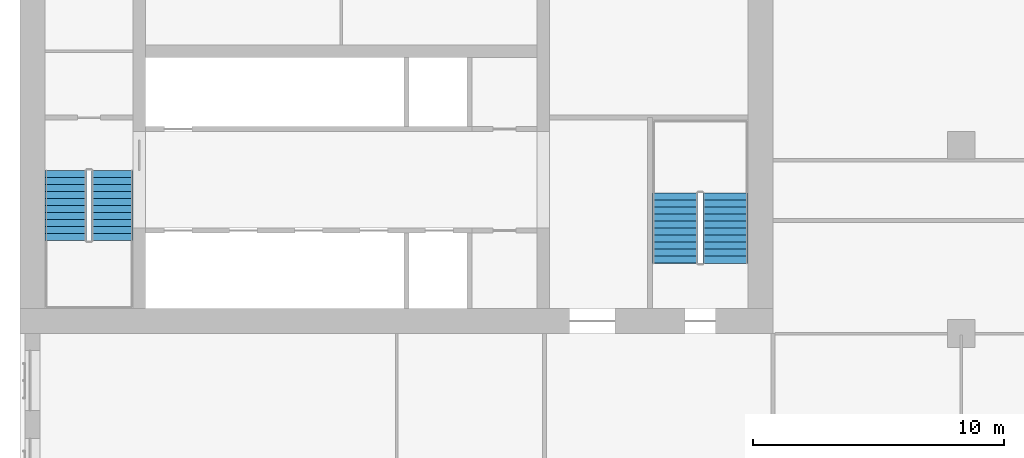
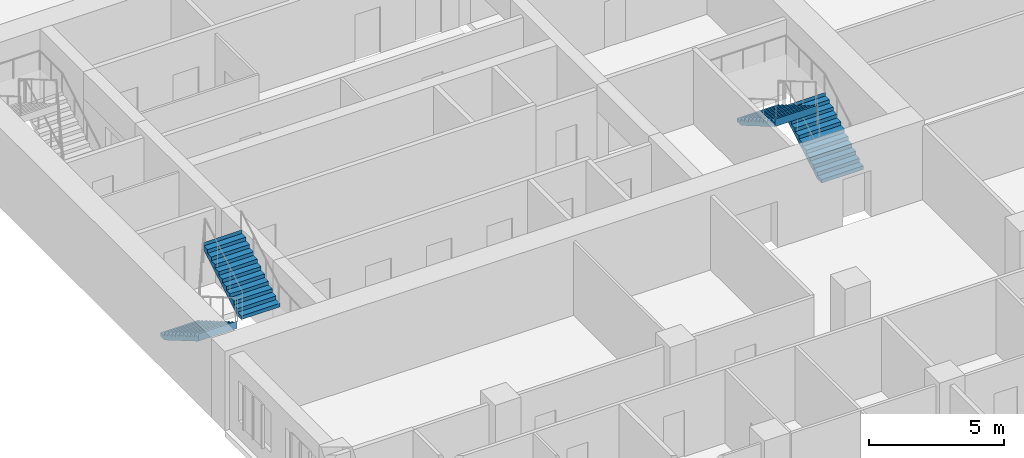
# One storey, part 12 of 14: 4 stair flights, 2 elements without a shape of their own.
"""IFC4 building model written with IfcOpenShell, lengths in metres."""

from ifc_helpers import new_model, si_unit, direction, frame, origin, place, context, subcontext, project, spatial, polyline, outline, extrude, material, type_object, element, aggregate, save


model = new_model("IFC4")

# Units and contexts
model_context = context("Model", 3, precision=1e-05, world=origin(), true_north=direction((0.0, 1.0)))
body_context = subcontext(model_context, "Body", "Model", "MODEL_VIEW")
ifc_project = project(units=[si_unit("LENGTHUNIT", "METRE"), si_unit("AREAUNIT", "SQUARE_METRE"), si_unit("VOLUMEUNIT", "CUBIC_METRE"), si_unit("PLANEANGLEUNIT", "RADIAN"), si_unit("MASSUNIT", "GRAM", prefix="KILO")], contexts=[model_context])

# Site, building, storey
site_placement = place(None, origin())
site = spatial("IfcSite", under=ifc_project, at=site_placement, CompositionType="ELEMENT")
building_placement = place(site_placement, origin())
building = spatial("IfcBuilding", under=site, at=building_placement, Name="Tamorin Gate", CompositionType="ELEMENT")
storey_placement = place(building_placement, frame((0.0, 0.0, 93.5)))
storey = spatial("IfcBuildingStorey", under=building, at=storey_placement, Name="L22", CompositionType="ELEMENT", Elevation=93.5)

# Stair, stair flights
ifc_material = material(Name="Concrete C40/50", Category="concrete")
stair_type = type_object("IfcStairType", Name="Exit stair", PredefinedType="HALF_TURN_STAIR", material=ifc_material)
stair_1_placement = place(storey_placement, origin())
stair_1 = element("IfcStair", 1, at=stair_1_placement, inside=storey, type_object=stair_type, Name="L22 stair ST1", PredefinedType="HALF_TURN_STAIR")
stair_flight_type = type_object("IfcStairFlightType", Name="Exit stair flight", PredefinedType="STRAIGHT", material=ifc_material)
stair_flight_1_placement = place(storey_placement, frame((31.824951171875, 66.5, 0.0), z_axis=(0.0, 0.0, 1.0), x_axis=(0.0, -1.0, 0.0)))
stair_flight_1 = element("IfcStairFlight", 2, at=stair_flight_1_placement, type_object=stair_flight_type, Name="ST1 flight 1", NumberOfRisers=11, NumberOfTreads=10, PredefinedType="STRAIGHT", RiserHeight=0.163636364, TreadLength=0.28, context=body_context, shape_type="SweptSolid", body=[
    extrude(outline(polyline([(-0.00048828125, 0.0), (-0.00048828125, 0.001708984375), (-0.00048828125, 0.003173828125), (-0.00048828125, 0.0048828125), (-0.00048828125, 0.006591796875), (-0.00048828125, 0.008056640625), (-0.00048828125, 0.009765625), (-0.00048828125, 0.01123046875), (-0.00048828125, 0.012939453125), (-0.00048828125, 0.0146484375), (-0.00048828125, 0.01611328125), (-0.00048828125, 0.017822265625), (-0.00048828125, 0.01953125), (-0.00048828125, 0.02099609375), (-0.00048828125, 0.022705078125), (-0.00048828125, 0.0244140625), (-0.00048828125, 0.02587890625), (-0.00048828125, 0.027587890625), (-0.00048828125, 0.029052734375), (-0.00048828125, 0.03076171875), (-0.00048828125, 0.032470703125), (-0.00048828125, 0.033935546875), (-0.00048828125, 0.03564453125), (-0.00048828125, 0.037353515625), (-0.00048828125, 0.038818359375), (-0.00048828125, 0.04052734375), (-0.00048828125, 0.042236328125), (-0.00048828125, 0.043701171875), (-0.00048828125, 0.04541015625), (-0.00048828125, 0.046875), (-0.00048828125, 0.048583984375), (-0.00048828125, 0.05029296875), (-0.00048828125, 0.0517578125), (-0.00048828125, 0.053466796875), (-0.00048828125, 0.05517578125), (-0.00048828125, 0.056640625), (-0.00048828125, 0.058349609375), (-0.00048828125, 0.06005859375), (-0.00048828125, 0.0615234375), (-0.00048828125, 0.063232421875), (-0.00048828125, 0.064697265625), (-0.00048828125, 0.06640625), (-0.00048828125, 0.068115234375), (-0.00048828125, 0.069580078125), (-0.00048828125, 0.0712890625), (-0.00048828125, 0.072998046875), (-0.00048828125, 0.074462890625), (-0.00048828125, 0.076171875), (-0.00048828125, 0.077880859375), (-0.00048828125, 0.079345703125), (-0.00048828125, 0.0810546875), (-0.00048828125, 0.08251953125), (-0.00048828125, 0.084228515625), (-0.00048828125, 0.0859375), (-0.00048828125, 0.08740234375), (-0.00048828125, 0.089111328125), (-0.00048828125, 0.0908203125), (-0.00048828125, 0.09228515625), (-0.00048828125, 0.093994140625), (-0.00048828125, 0.095703125), (-0.00048828125, 0.09716796875), (-0.00048828125, 0.098876953125), (-0.00048828125, 0.100341796875), (-0.00048828125, 0.10205078125), (-0.00048828125, 0.103759765625), (-0.00048828125, 0.105224609375), (-0.00048828125, 0.10693359375), (-0.00048828125, 0.108642578125), (-0.00048828125, 0.110107421875), (-0.00048828125, 0.11181640625), (-0.00048828125, 0.113525390625), (-0.00048828125, 0.114990234375), (-0.00048828125, 0.11669921875), (-0.00048828125, 0.1181640625), (-0.00048828125, 0.119873046875), (-0.00048828125, 0.12158203125), (-0.00048828125, 0.123046875), (-0.00048828125, 0.124755859375), (-0.00048828125, 0.12646484375), (-0.00048828125, 0.1279296875), (-0.00048828125, 0.129638671875), (-0.00048828125, 0.13134765625), (-0.00048828125, 0.1328125), (-0.00048828125, 0.134521484375), (-0.00048828125, 0.135986328125), (-0.00048828125, 0.1376953125), (-0.00048828125, 0.139404296875), (-0.00048828125, 0.140869140625), (-0.00048828125, 0.142578125), (-0.00048828125, 0.144287109375), (-0.00048828125, 0.145751953125), (-0.00048828125, 0.1474609375), (-0.00048828125, 0.149169921875), (-0.00048828125, 0.150634765625), (-0.00048828125, 0.15234375), (-0.00048828125, 0.15380859375), (-0.00048828125, 0.155517578125), (-0.00048828125, 0.1572265625), (-0.00048828125, 0.15869140625), (-0.00048828125, 0.160400390625), (-0.00048828125, 0.162109375), (-0.00048828125, 0.16357421875), (0.280029296875, 0.16357421875), (0.280029296875, 0.327392578125), (0.56005859375, 0.327392578125), (0.56005859375, 0.490966796875), (0.840087890625, 0.490966796875), (0.840087890625, 0.654541015625), (1.1201171875, 0.654541015625), (1.1201171875, 0.818115234375), (1.39990234375, 0.818115234375), (1.39990234375, 0.98193359375), (1.679931640625, 0.98193359375), (1.679931640625, 1.1455078125), (1.9599609375, 1.1455078125), (1.9599609375, 1.30908203125), (2.239990234375, 1.30908203125), (2.239990234375, 1.47265625), (2.52001953125, 1.47265625), (2.52001953125, 1.636474609375), (2.800048828125, 1.636474609375), (2.800048828125, 1.800048828125), (2.800537109375, 1.800048828125), (2.800537109375, 1.796630859375), (2.800537109375, 1.793212890625), (2.800537109375, 1.7900390625), (2.800537109375, 1.78662109375), (2.800537109375, 1.783203125), (2.800537109375, 1.780029296875), (2.800537109375, 1.776611328125), (2.800537109375, 1.773193359375), (2.800537109375, 1.77001953125), (2.800537109375, 1.7666015625), (2.800537109375, 1.76318359375), (2.800537109375, 1.760009765625), (2.800537109375, 1.756591796875), (2.800537109375, 1.753173828125), (2.800537109375, 1.75), (2.800537109375, 1.74658203125), (2.800537109375, 1.7431640625), (2.800537109375, 1.739990234375), (2.800537109375, 1.736572265625), (2.800537109375, 1.733154296875), (2.800537109375, 1.72998046875), (2.800537109375, 1.7265625), (2.800537109375, 1.72314453125), (2.800537109375, 1.719970703125), (2.800537109375, 1.716552734375), (2.800537109375, 1.713134765625), (2.800537109375, 1.7099609375), (2.800537109375, 1.70654296875), (2.800537109375, 1.703125), (2.800537109375, 1.69970703125), (2.800537109375, 1.696533203125), (2.800537109375, 1.693115234375), (2.800537109375, 1.689697265625), (2.800537109375, 1.6865234375), (2.800537109375, 1.68310546875), (2.800537109375, 1.6796875), (2.800537109375, 1.676513671875), (2.800537109375, 1.673095703125), (2.800537109375, 1.669677734375), (2.800537109375, 1.66650390625), (2.800537109375, 1.6630859375), (2.800537109375, 1.65966796875), (2.800537109375, 1.656494140625), (2.800537109375, 1.653076171875), (2.800537109375, 1.649658203125), (2.800537109375, 1.646484375), (2.800537109375, 1.64306640625), (2.800537109375, 1.6396484375), (2.800537109375, 1.636474609375), (2.800537109375, 1.633056640625), (2.800537109375, 1.629638671875), (2.800537109375, 1.62646484375), (2.800537109375, 1.623046875), (2.800537109375, 1.61962890625), (2.800537109375, 1.616455078125), (2.800537109375, 1.613037109375), (2.800537109375, 1.609619140625), (2.800537109375, 1.6064453125), (2.800537109375, 1.60302734375), (2.800537109375, 1.599609375), (2.800537109375, 1.59619140625), (2.800537109375, 1.593017578125), (2.800537109375, 1.589599609375), (2.800537109375, 1.586181640625), (2.800537109375, 1.5830078125), (2.800537109375, 1.57958984375), (2.800537109375, 1.576171875), (2.800537109375, 1.572998046875), (2.800537109375, 1.569580078125), (2.800537109375, 1.566162109375), (2.800537109375, 1.56298828125), (2.800537109375, 1.5595703125), (2.800537109375, 1.55615234375), (2.800537109375, 1.552978515625), (2.800537109375, 1.549560546875), (2.800537109375, 1.546142578125), (2.800537109375, 1.54296875), (2.800537109375, 1.53955078125), (2.800537109375, 1.5361328125), (2.800537109375, 1.532958984375), (2.800537109375, 1.529541015625), (2.800537109375, 1.526123046875), (2.800537109375, 1.52294921875), (2.800537109375, 1.51953125), (2.800537109375, 1.51611328125), (2.800537109375, 1.512939453125), (2.800537109375, 1.509521484375), (2.800537109375, 1.506103515625), (2.800537109375, 1.5029296875), (2.800537109375, 1.49951171875), (2.800537109375, 1.49609375), (2.800537109375, 1.49267578125), (2.800537109375, 1.489501953125), (2.800537109375, 1.486083984375), (2.800537109375, 1.482666015625), (2.800537109375, 1.4794921875), (2.800537109375, 1.47607421875), (2.800537109375, 1.47265625), (2.800537109375, 1.469482421875), (2.800537109375, 1.466064453125), (2.800537109375, 1.462646484375), (2.800048828125, 1.462646484375), (0.297119140625, 0.0), (-0.00048828125, 0.0)])), frame((0.0, 0.824951171875, 0.0), z_axis=(0.0, -1.0, 0.0), x_axis=(1.0, 0.0, 0.0)), (0.0, 0.0, 1.0), 1.64990234375),
])
stair_flight_2_placement = place(storey_placement, frame((33.675048828125, 63.699951171875, 1.800048828125), z_axis=(0.0, 0.0, 1.0), x_axis=(0.0, 1.0, 0.0)))
stair_flight_2 = element("IfcStairFlight", 3, at=stair_flight_2_placement, type_object=stair_flight_type, Name="ST1 flight 2", NumberOfRisers=11, NumberOfTreads=10, PredefinedType="STRAIGHT", RiserHeight=0.163636364, TreadLength=0.28, context=body_context, shape_type="SweptSolid", body=[
    extrude(outline(polyline([(-0.00048828125, 0.0), (-0.00048828125, 0.001708984375), (-0.00048828125, 0.003173828125), (-0.00048828125, 0.0048828125), (-0.00048828125, 0.006591796875), (-0.00048828125, 0.008056640625), (-0.00048828125, 0.009765625), (-0.00048828125, 0.01123046875), (-0.00048828125, 0.012939453125), (-0.00048828125, 0.0146484375), (-0.00048828125, 0.01611328125), (-0.00048828125, 0.017822265625), (-0.00048828125, 0.01953125), (-0.00048828125, 0.02099609375), (-0.00048828125, 0.022705078125), (-0.00048828125, 0.0244140625), (-0.00048828125, 0.02587890625), (-0.00048828125, 0.027587890625), (-0.00048828125, 0.029052734375), (-0.00048828125, 0.03076171875), (-0.00048828125, 0.032470703125), (-0.00048828125, 0.033935546875), (-0.00048828125, 0.03564453125), (-0.00048828125, 0.037353515625), (-0.00048828125, 0.038818359375), (-0.00048828125, 0.04052734375), (-0.00048828125, 0.042236328125), (-0.00048828125, 0.043701171875), (-0.00048828125, 0.04541015625), (-0.00048828125, 0.046875), (-0.00048828125, 0.048583984375), (-0.00048828125, 0.05029296875), (-0.00048828125, 0.0517578125), (-0.00048828125, 0.053466796875), (-0.00048828125, 0.05517578125), (-0.00048828125, 0.056640625), (-0.00048828125, 0.058349609375), (-0.00048828125, 0.06005859375), (-0.00048828125, 0.0615234375), (-0.00048828125, 0.063232421875), (-0.00048828125, 0.064697265625), (-0.00048828125, 0.06640625), (-0.00048828125, 0.068115234375), (-0.00048828125, 0.069580078125), (-0.00048828125, 0.0712890625), (-0.00048828125, 0.072998046875), (-0.00048828125, 0.074462890625), (-0.00048828125, 0.076171875), (-0.00048828125, 0.077880859375), (-0.00048828125, 0.079345703125), (-0.00048828125, 0.0810546875), (-0.00048828125, 0.08251953125), (-0.00048828125, 0.084228515625), (-0.00048828125, 0.0859375), (-0.00048828125, 0.08740234375), (-0.00048828125, 0.089111328125), (-0.00048828125, 0.0908203125), (-0.00048828125, 0.09228515625), (-0.00048828125, 0.093994140625), (-0.00048828125, 0.095703125), (-0.00048828125, 0.09716796875), (-0.00048828125, 0.098876953125), (-0.00048828125, 0.100341796875), (-0.00048828125, 0.10205078125), (-0.00048828125, 0.103759765625), (-0.00048828125, 0.105224609375), (-0.00048828125, 0.10693359375), (-0.00048828125, 0.108642578125), (-0.00048828125, 0.110107421875), (-0.00048828125, 0.11181640625), (-0.00048828125, 0.113525390625), (-0.00048828125, 0.114990234375), (-0.00048828125, 0.11669921875), (-0.00048828125, 0.1181640625), (-0.00048828125, 0.119873046875), (-0.00048828125, 0.12158203125), (-0.00048828125, 0.123046875), (-0.00048828125, 0.124755859375), (-0.00048828125, 0.12646484375), (-0.00048828125, 0.1279296875), (-0.00048828125, 0.129638671875), (-0.00048828125, 0.13134765625), (-0.00048828125, 0.1328125), (-0.00048828125, 0.134521484375), (-0.00048828125, 0.135986328125), (-0.00048828125, 0.1376953125), (-0.00048828125, 0.139404296875), (-0.00048828125, 0.140869140625), (-0.00048828125, 0.142578125), (-0.00048828125, 0.144287109375), (-0.00048828125, 0.145751953125), (-0.00048828125, 0.1474609375), (-0.00048828125, 0.149169921875), (-0.00048828125, 0.150634765625), (-0.00048828125, 0.15234375), (-0.00048828125, 0.15380859375), (-0.00048828125, 0.155517578125), (-0.00048828125, 0.1572265625), (-0.00048828125, 0.15869140625), (-0.00048828125, 0.160400390625), (-0.00048828125, 0.162109375), (-0.00048828125, 0.16357421875), (0.280029296875, 0.16357421875), (0.280029296875, 0.327392578125), (0.56005859375, 0.327392578125), (0.56005859375, 0.490966796875), (0.840087890625, 0.490966796875), (0.840087890625, 0.654541015625), (1.1201171875, 0.654541015625), (1.1201171875, 0.818115234375), (1.39990234375, 0.818115234375), (1.39990234375, 0.98193359375), (1.679931640625, 0.98193359375), (1.679931640625, 1.1455078125), (1.9599609375, 1.1455078125), (1.9599609375, 1.30908203125), (2.239990234375, 1.30908203125), (2.239990234375, 1.47265625), (2.52001953125, 1.47265625), (2.52001953125, 1.636474609375), (2.800048828125, 1.636474609375), (2.800048828125, 1.800048828125), (2.800537109375, 1.800048828125), (2.800537109375, 1.796630859375), (2.800537109375, 1.793212890625), (2.800537109375, 1.7900390625), (2.800537109375, 1.78662109375), (2.800537109375, 1.783203125), (2.800537109375, 1.780029296875), (2.800537109375, 1.776611328125), (2.800537109375, 1.773193359375), (2.800537109375, 1.77001953125), (2.800537109375, 1.7666015625), (2.800537109375, 1.76318359375), (2.800537109375, 1.760009765625), (2.800537109375, 1.756591796875), (2.800537109375, 1.753173828125), (2.800537109375, 1.75), (2.800537109375, 1.74658203125), (2.800537109375, 1.7431640625), (2.800537109375, 1.739990234375), (2.800537109375, 1.736572265625), (2.800537109375, 1.733154296875), (2.800537109375, 1.72998046875), (2.800537109375, 1.7265625), (2.800537109375, 1.72314453125), (2.800537109375, 1.719970703125), (2.800537109375, 1.716552734375), (2.800537109375, 1.713134765625), (2.800537109375, 1.7099609375), (2.800537109375, 1.70654296875), (2.800537109375, 1.703125), (2.800537109375, 1.69970703125), (2.800537109375, 1.696533203125), (2.800537109375, 1.693115234375), (2.800537109375, 1.689697265625), (2.800537109375, 1.6865234375), (2.800537109375, 1.68310546875), (2.800537109375, 1.6796875), (2.800537109375, 1.676513671875), (2.800537109375, 1.673095703125), (2.800537109375, 1.669677734375), (2.800537109375, 1.66650390625), (2.800537109375, 1.6630859375), (2.800537109375, 1.65966796875), (2.800537109375, 1.656494140625), (2.800537109375, 1.653076171875), (2.800537109375, 1.649658203125), (2.800537109375, 1.646484375), (2.800537109375, 1.64306640625), (2.800537109375, 1.6396484375), (2.800537109375, 1.636474609375), (2.800537109375, 1.633056640625), (2.800537109375, 1.629638671875), (2.800537109375, 1.62646484375), (2.800537109375, 1.623046875), (2.800537109375, 1.61962890625), (2.800537109375, 1.616455078125), (2.800537109375, 1.613037109375), (2.800537109375, 1.609619140625), (2.800537109375, 1.6064453125), (2.800537109375, 1.60302734375), (2.800537109375, 1.599609375), (2.800537109375, 1.59619140625), (2.800537109375, 1.593017578125), (2.800537109375, 1.589599609375), (2.800537109375, 1.586181640625), (2.800537109375, 1.5830078125), (2.800537109375, 1.57958984375), (2.800537109375, 1.576171875), (2.800537109375, 1.572998046875), (2.800537109375, 1.569580078125), (2.800537109375, 1.566162109375), (2.800537109375, 1.56298828125), (2.800537109375, 1.5595703125), (2.800537109375, 1.55615234375), (2.800537109375, 1.552978515625), (2.800537109375, 1.549560546875), (2.800537109375, 1.546142578125), (2.800537109375, 1.54296875), (2.800537109375, 1.53955078125), (2.800537109375, 1.5361328125), (2.800537109375, 1.532958984375), (2.800537109375, 1.529541015625), (2.800537109375, 1.526123046875), (2.800537109375, 1.52294921875), (2.800537109375, 1.51953125), (2.800537109375, 1.51611328125), (2.800537109375, 1.512939453125), (2.800537109375, 1.509521484375), (2.800537109375, 1.506103515625), (2.800537109375, 1.5029296875), (2.800537109375, 1.49951171875), (2.800537109375, 1.49609375), (2.800537109375, 1.49267578125), (2.800537109375, 1.489501953125), (2.800537109375, 1.486083984375), (2.800537109375, 1.482666015625), (2.800537109375, 1.4794921875), (2.800537109375, 1.47607421875), (2.800537109375, 1.47265625), (2.800537109375, 1.469482421875), (2.800537109375, 1.466064453125), (2.800537109375, 1.462646484375), (2.800048828125, 1.462646484375), (0.297119140625, 0.0), (-0.00048828125, 0.0)])), frame((0.0, 0.824951171875, 0.0), z_axis=(0.0, -1.0, 0.0), x_axis=(1.0, 0.0, 0.0)), (0.0, 0.0, 1.0), 1.64990234375),
])
aggregate(stair_1, [stair_flight_1, stair_flight_2])

stair_2_placement = place(storey_placement, origin())
stair_2 = element("IfcStair", 4, at=stair_2_placement, inside=storey, type_object=stair_type, Name="L22 stair ST3", PredefinedType="HALF_TURN_STAIR")
stair_flight_3_placement = place(storey_placement, frame((58.10009765625, 62.800048828125, 0.0), z_axis=(0.0, 0.0, 1.0), x_axis=(0.0, 1.0, 0.0)))
stair_flight_3 = element("IfcStairFlight", 5, at=stair_flight_3_placement, type_object=stair_flight_type, Name="ST3 flight 1", NumberOfRisers=11, NumberOfTreads=10, PredefinedType="STRAIGHT", RiserHeight=0.163636364, TreadLength=0.28, context=body_context, shape_type="SweptSolid", body=[
    extrude(outline(polyline([(-0.00048828125, 0.0), (-0.00048828125, 0.001708984375), (-0.00048828125, 0.003173828125), (-0.00048828125, 0.0048828125), (-0.00048828125, 0.006591796875), (-0.00048828125, 0.008056640625), (-0.00048828125, 0.009765625), (-0.00048828125, 0.01123046875), (-0.00048828125, 0.012939453125), (-0.00048828125, 0.0146484375), (-0.00048828125, 0.01611328125), (-0.00048828125, 0.017822265625), (-0.00048828125, 0.01953125), (-0.00048828125, 0.02099609375), (-0.00048828125, 0.022705078125), (-0.00048828125, 0.0244140625), (-0.00048828125, 0.02587890625), (-0.00048828125, 0.027587890625), (-0.00048828125, 0.029052734375), (-0.00048828125, 0.03076171875), (-0.00048828125, 0.032470703125), (-0.00048828125, 0.033935546875), (-0.00048828125, 0.03564453125), (-0.00048828125, 0.037353515625), (-0.00048828125, 0.038818359375), (-0.00048828125, 0.04052734375), (-0.00048828125, 0.042236328125), (-0.00048828125, 0.043701171875), (-0.00048828125, 0.04541015625), (-0.00048828125, 0.046875), (-0.00048828125, 0.048583984375), (-0.00048828125, 0.05029296875), (-0.00048828125, 0.0517578125), (-0.00048828125, 0.053466796875), (-0.00048828125, 0.05517578125), (-0.00048828125, 0.056640625), (-0.00048828125, 0.058349609375), (-0.00048828125, 0.06005859375), (-0.00048828125, 0.0615234375), (-0.00048828125, 0.063232421875), (-0.00048828125, 0.064697265625), (-0.00048828125, 0.06640625), (-0.00048828125, 0.068115234375), (-0.00048828125, 0.069580078125), (-0.00048828125, 0.0712890625), (-0.00048828125, 0.072998046875), (-0.00048828125, 0.074462890625), (-0.00048828125, 0.076171875), (-0.00048828125, 0.077880859375), (-0.00048828125, 0.079345703125), (-0.00048828125, 0.0810546875), (-0.00048828125, 0.08251953125), (-0.00048828125, 0.084228515625), (-0.00048828125, 0.0859375), (-0.00048828125, 0.08740234375), (-0.00048828125, 0.089111328125), (-0.00048828125, 0.0908203125), (-0.00048828125, 0.09228515625), (-0.00048828125, 0.093994140625), (-0.00048828125, 0.095703125), (-0.00048828125, 0.09716796875), (-0.00048828125, 0.098876953125), (-0.00048828125, 0.100341796875), (-0.00048828125, 0.10205078125), (-0.00048828125, 0.103759765625), (-0.00048828125, 0.105224609375), (-0.00048828125, 0.10693359375), (-0.00048828125, 0.108642578125), (-0.00048828125, 0.110107421875), (-0.00048828125, 0.11181640625), (-0.00048828125, 0.113525390625), (-0.00048828125, 0.114990234375), (-0.00048828125, 0.11669921875), (-0.00048828125, 0.1181640625), (-0.00048828125, 0.119873046875), (-0.00048828125, 0.12158203125), (-0.00048828125, 0.123046875), (-0.00048828125, 0.124755859375), (-0.00048828125, 0.12646484375), (-0.00048828125, 0.1279296875), (-0.00048828125, 0.129638671875), (-0.00048828125, 0.13134765625), (-0.00048828125, 0.1328125), (-0.00048828125, 0.134521484375), (-0.00048828125, 0.135986328125), (-0.00048828125, 0.1376953125), (-0.00048828125, 0.139404296875), (-0.00048828125, 0.140869140625), (-0.00048828125, 0.142578125), (-0.00048828125, 0.144287109375), (-0.00048828125, 0.145751953125), (-0.00048828125, 0.1474609375), (-0.00048828125, 0.149169921875), (-0.00048828125, 0.150634765625), (-0.00048828125, 0.15234375), (-0.00048828125, 0.15380859375), (-0.00048828125, 0.155517578125), (-0.00048828125, 0.1572265625), (-0.00048828125, 0.15869140625), (-0.00048828125, 0.160400390625), (-0.00048828125, 0.162109375), (-0.00048828125, 0.16357421875), (0.280029296875, 0.16357421875), (0.280029296875, 0.327392578125), (0.56005859375, 0.327392578125), (0.56005859375, 0.490966796875), (0.840087890625, 0.490966796875), (0.840087890625, 0.654541015625), (1.1201171875, 0.654541015625), (1.1201171875, 0.818115234375), (1.39990234375, 0.818115234375), (1.39990234375, 0.98193359375), (1.679931640625, 0.98193359375), (1.679931640625, 1.1455078125), (1.9599609375, 1.1455078125), (1.9599609375, 1.30908203125), (2.239990234375, 1.30908203125), (2.239990234375, 1.47265625), (2.52001953125, 1.47265625), (2.52001953125, 1.636474609375), (2.800048828125, 1.636474609375), (2.800048828125, 1.800048828125), (2.800537109375, 1.800048828125), (2.800537109375, 1.796630859375), (2.800537109375, 1.793212890625), (2.800537109375, 1.7900390625), (2.800537109375, 1.78662109375), (2.800537109375, 1.783203125), (2.800537109375, 1.780029296875), (2.800537109375, 1.776611328125), (2.800537109375, 1.773193359375), (2.800537109375, 1.77001953125), (2.800537109375, 1.7666015625), (2.800537109375, 1.76318359375), (2.800537109375, 1.760009765625), (2.800537109375, 1.756591796875), (2.800537109375, 1.753173828125), (2.800537109375, 1.75), (2.800537109375, 1.74658203125), (2.800537109375, 1.7431640625), (2.800537109375, 1.739990234375), (2.800537109375, 1.736572265625), (2.800537109375, 1.733154296875), (2.800537109375, 1.72998046875), (2.800537109375, 1.7265625), (2.800537109375, 1.72314453125), (2.800537109375, 1.719970703125), (2.800537109375, 1.716552734375), (2.800537109375, 1.713134765625), (2.800537109375, 1.7099609375), (2.800537109375, 1.70654296875), (2.800537109375, 1.703125), (2.800537109375, 1.69970703125), (2.800537109375, 1.696533203125), (2.800537109375, 1.693115234375), (2.800537109375, 1.689697265625), (2.800537109375, 1.6865234375), (2.800537109375, 1.68310546875), (2.800537109375, 1.6796875), (2.800537109375, 1.676513671875), (2.800537109375, 1.673095703125), (2.800537109375, 1.669677734375), (2.800537109375, 1.66650390625), (2.800537109375, 1.6630859375), (2.800537109375, 1.65966796875), (2.800537109375, 1.656494140625), (2.800537109375, 1.653076171875), (2.800537109375, 1.649658203125), (2.800537109375, 1.646484375), (2.800537109375, 1.64306640625), (2.800537109375, 1.6396484375), (2.800537109375, 1.636474609375), (2.800537109375, 1.633056640625), (2.800537109375, 1.629638671875), (2.800537109375, 1.62646484375), (2.800537109375, 1.623046875), (2.800537109375, 1.61962890625), (2.800537109375, 1.616455078125), (2.800537109375, 1.613037109375), (2.800537109375, 1.609619140625), (2.800537109375, 1.6064453125), (2.800537109375, 1.60302734375), (2.800537109375, 1.599609375), (2.800537109375, 1.59619140625), (2.800537109375, 1.593017578125), (2.800537109375, 1.589599609375), (2.800537109375, 1.586181640625), (2.800537109375, 1.5830078125), (2.800537109375, 1.57958984375), (2.800537109375, 1.576171875), (2.800537109375, 1.572998046875), (2.800537109375, 1.569580078125), (2.800537109375, 1.566162109375), (2.800537109375, 1.56298828125), (2.800537109375, 1.5595703125), (2.800537109375, 1.55615234375), (2.800537109375, 1.552978515625), (2.800537109375, 1.549560546875), (2.800537109375, 1.546142578125), (2.800537109375, 1.54296875), (2.800537109375, 1.53955078125), (2.800537109375, 1.5361328125), (2.800537109375, 1.532958984375), (2.800537109375, 1.529541015625), (2.800537109375, 1.526123046875), (2.800537109375, 1.52294921875), (2.800537109375, 1.51953125), (2.800537109375, 1.51611328125), (2.800537109375, 1.512939453125), (2.800537109375, 1.509521484375), (2.800537109375, 1.506103515625), (2.800537109375, 1.5029296875), (2.800537109375, 1.49951171875), (2.800537109375, 1.49609375), (2.800537109375, 1.49267578125), (2.800537109375, 1.489501953125), (2.800537109375, 1.486083984375), (2.800537109375, 1.482666015625), (2.800537109375, 1.4794921875), (2.800537109375, 1.47607421875), (2.800537109375, 1.47265625), (2.800537109375, 1.469482421875), (2.800537109375, 1.466064453125), (2.800537109375, 1.462646484375), (2.800048828125, 1.462646484375), (0.297119140625, 0.0), (-0.00048828125, 0.0)])), frame((0.0, 0.89990234375, 0.0), z_axis=(0.0, -1.0, 0.0), x_axis=(1.0, 0.0, 0.0)), (0.0, 0.0, 1.0), 1.800048828125),
])
stair_flight_4_placement = place(storey_placement, frame((56.10009765625, 65.60009765625, 1.800048828125), z_axis=(0.0, 0.0, 1.0), x_axis=(0.0, -1.0, 0.0)))
stair_flight_4 = element("IfcStairFlight", 6, at=stair_flight_4_placement, type_object=stair_flight_type, Name="ST3 flight 2", NumberOfRisers=11, NumberOfTreads=10, PredefinedType="STRAIGHT", RiserHeight=0.163636364, TreadLength=0.28, context=body_context, shape_type="SweptSolid", body=[
    extrude(outline(polyline([(-0.00048828125, 0.0), (-0.00048828125, 0.001708984375), (-0.00048828125, 0.003173828125), (-0.00048828125, 0.0048828125), (-0.00048828125, 0.006591796875), (-0.00048828125, 0.008056640625), (-0.00048828125, 0.009765625), (-0.00048828125, 0.01123046875), (-0.00048828125, 0.012939453125), (-0.00048828125, 0.0146484375), (-0.00048828125, 0.01611328125), (-0.00048828125, 0.017822265625), (-0.00048828125, 0.01953125), (-0.00048828125, 0.02099609375), (-0.00048828125, 0.022705078125), (-0.00048828125, 0.0244140625), (-0.00048828125, 0.02587890625), (-0.00048828125, 0.027587890625), (-0.00048828125, 0.029052734375), (-0.00048828125, 0.03076171875), (-0.00048828125, 0.032470703125), (-0.00048828125, 0.033935546875), (-0.00048828125, 0.03564453125), (-0.00048828125, 0.037353515625), (-0.00048828125, 0.038818359375), (-0.00048828125, 0.04052734375), (-0.00048828125, 0.042236328125), (-0.00048828125, 0.043701171875), (-0.00048828125, 0.04541015625), (-0.00048828125, 0.046875), (-0.00048828125, 0.048583984375), (-0.00048828125, 0.05029296875), (-0.00048828125, 0.0517578125), (-0.00048828125, 0.053466796875), (-0.00048828125, 0.05517578125), (-0.00048828125, 0.056640625), (-0.00048828125, 0.058349609375), (-0.00048828125, 0.06005859375), (-0.00048828125, 0.0615234375), (-0.00048828125, 0.063232421875), (-0.00048828125, 0.064697265625), (-0.00048828125, 0.06640625), (-0.00048828125, 0.068115234375), (-0.00048828125, 0.069580078125), (-0.00048828125, 0.0712890625), (-0.00048828125, 0.072998046875), (-0.00048828125, 0.074462890625), (-0.00048828125, 0.076171875), (-0.00048828125, 0.077880859375), (-0.00048828125, 0.079345703125), (-0.00048828125, 0.0810546875), (-0.00048828125, 0.08251953125), (-0.00048828125, 0.084228515625), (-0.00048828125, 0.0859375), (-0.00048828125, 0.08740234375), (-0.00048828125, 0.089111328125), (-0.00048828125, 0.0908203125), (-0.00048828125, 0.09228515625), (-0.00048828125, 0.093994140625), (-0.00048828125, 0.095703125), (-0.00048828125, 0.09716796875), (-0.00048828125, 0.098876953125), (-0.00048828125, 0.100341796875), (-0.00048828125, 0.10205078125), (-0.00048828125, 0.103759765625), (-0.00048828125, 0.105224609375), (-0.00048828125, 0.10693359375), (-0.00048828125, 0.108642578125), (-0.00048828125, 0.110107421875), (-0.00048828125, 0.11181640625), (-0.00048828125, 0.113525390625), (-0.00048828125, 0.114990234375), (-0.00048828125, 0.11669921875), (-0.00048828125, 0.1181640625), (-0.00048828125, 0.119873046875), (-0.00048828125, 0.12158203125), (-0.00048828125, 0.123046875), (-0.00048828125, 0.124755859375), (-0.00048828125, 0.12646484375), (-0.00048828125, 0.1279296875), (-0.00048828125, 0.129638671875), (-0.00048828125, 0.13134765625), (-0.00048828125, 0.1328125), (-0.00048828125, 0.134521484375), (-0.00048828125, 0.135986328125), (-0.00048828125, 0.1376953125), (-0.00048828125, 0.139404296875), (-0.00048828125, 0.140869140625), (-0.00048828125, 0.142578125), (-0.00048828125, 0.144287109375), (-0.00048828125, 0.145751953125), (-0.00048828125, 0.1474609375), (-0.00048828125, 0.149169921875), (-0.00048828125, 0.150634765625), (-0.00048828125, 0.15234375), (-0.00048828125, 0.15380859375), (-0.00048828125, 0.155517578125), (-0.00048828125, 0.1572265625), (-0.00048828125, 0.15869140625), (-0.00048828125, 0.160400390625), (-0.00048828125, 0.162109375), (-0.00048828125, 0.16357421875), (0.280029296875, 0.16357421875), (0.280029296875, 0.327392578125), (0.56005859375, 0.327392578125), (0.56005859375, 0.490966796875), (0.840087890625, 0.490966796875), (0.840087890625, 0.654541015625), (1.1201171875, 0.654541015625), (1.1201171875, 0.818115234375), (1.39990234375, 0.818115234375), (1.39990234375, 0.98193359375), (1.679931640625, 0.98193359375), (1.679931640625, 1.1455078125), (1.9599609375, 1.1455078125), (1.9599609375, 1.30908203125), (2.239990234375, 1.30908203125), (2.239990234375, 1.47265625), (2.52001953125, 1.47265625), (2.52001953125, 1.636474609375), (2.800048828125, 1.636474609375), (2.800048828125, 1.800048828125), (2.800537109375, 1.800048828125), (2.800537109375, 1.796630859375), (2.800537109375, 1.793212890625), (2.800537109375, 1.7900390625), (2.800537109375, 1.78662109375), (2.800537109375, 1.783203125), (2.800537109375, 1.780029296875), (2.800537109375, 1.776611328125), (2.800537109375, 1.773193359375), (2.800537109375, 1.77001953125), (2.800537109375, 1.7666015625), (2.800537109375, 1.76318359375), (2.800537109375, 1.760009765625), (2.800537109375, 1.756591796875), (2.800537109375, 1.753173828125), (2.800537109375, 1.75), (2.800537109375, 1.74658203125), (2.800537109375, 1.7431640625), (2.800537109375, 1.739990234375), (2.800537109375, 1.736572265625), (2.800537109375, 1.733154296875), (2.800537109375, 1.72998046875), (2.800537109375, 1.7265625), (2.800537109375, 1.72314453125), (2.800537109375, 1.719970703125), (2.800537109375, 1.716552734375), (2.800537109375, 1.713134765625), (2.800537109375, 1.7099609375), (2.800537109375, 1.70654296875), (2.800537109375, 1.703125), (2.800537109375, 1.69970703125), (2.800537109375, 1.696533203125), (2.800537109375, 1.693115234375), (2.800537109375, 1.689697265625), (2.800537109375, 1.6865234375), (2.800537109375, 1.68310546875), (2.800537109375, 1.6796875), (2.800537109375, 1.676513671875), (2.800537109375, 1.673095703125), (2.800537109375, 1.669677734375), (2.800537109375, 1.66650390625), (2.800537109375, 1.6630859375), (2.800537109375, 1.65966796875), (2.800537109375, 1.656494140625), (2.800537109375, 1.653076171875), (2.800537109375, 1.649658203125), (2.800537109375, 1.646484375), (2.800537109375, 1.64306640625), (2.800537109375, 1.6396484375), (2.800537109375, 1.636474609375), (2.800537109375, 1.633056640625), (2.800537109375, 1.629638671875), (2.800537109375, 1.62646484375), (2.800537109375, 1.623046875), (2.800537109375, 1.61962890625), (2.800537109375, 1.616455078125), (2.800537109375, 1.613037109375), (2.800537109375, 1.609619140625), (2.800537109375, 1.6064453125), (2.800537109375, 1.60302734375), (2.800537109375, 1.599609375), (2.800537109375, 1.59619140625), (2.800537109375, 1.593017578125), (2.800537109375, 1.589599609375), (2.800537109375, 1.586181640625), (2.800537109375, 1.5830078125), (2.800537109375, 1.57958984375), (2.800537109375, 1.576171875), (2.800537109375, 1.572998046875), (2.800537109375, 1.569580078125), (2.800537109375, 1.566162109375), (2.800537109375, 1.56298828125), (2.800537109375, 1.5595703125), (2.800537109375, 1.55615234375), (2.800537109375, 1.552978515625), (2.800537109375, 1.549560546875), (2.800537109375, 1.546142578125), (2.800537109375, 1.54296875), (2.800537109375, 1.53955078125), (2.800537109375, 1.5361328125), (2.800537109375, 1.532958984375), (2.800537109375, 1.529541015625), (2.800537109375, 1.526123046875), (2.800537109375, 1.52294921875), (2.800537109375, 1.51953125), (2.800537109375, 1.51611328125), (2.800537109375, 1.512939453125), (2.800537109375, 1.509521484375), (2.800537109375, 1.506103515625), (2.800537109375, 1.5029296875), (2.800537109375, 1.49951171875), (2.800537109375, 1.49609375), (2.800537109375, 1.49267578125), (2.800537109375, 1.489501953125), (2.800537109375, 1.486083984375), (2.800537109375, 1.482666015625), (2.800537109375, 1.4794921875), (2.800537109375, 1.47607421875), (2.800537109375, 1.47265625), (2.800537109375, 1.469482421875), (2.800537109375, 1.466064453125), (2.800537109375, 1.462646484375), (2.800048828125, 1.462646484375), (0.297119140625, 0.0), (-0.00048828125, 0.0)])), frame((0.0, 0.89990234375, 0.0), z_axis=(0.0, -1.0, 0.0), x_axis=(1.0, 0.0, 0.0)), (0.0, 0.0, 1.0), 1.800048828125),
])
aggregate(stair_2, [stair_flight_3, stair_flight_4])

save(model, "model.ifc")
